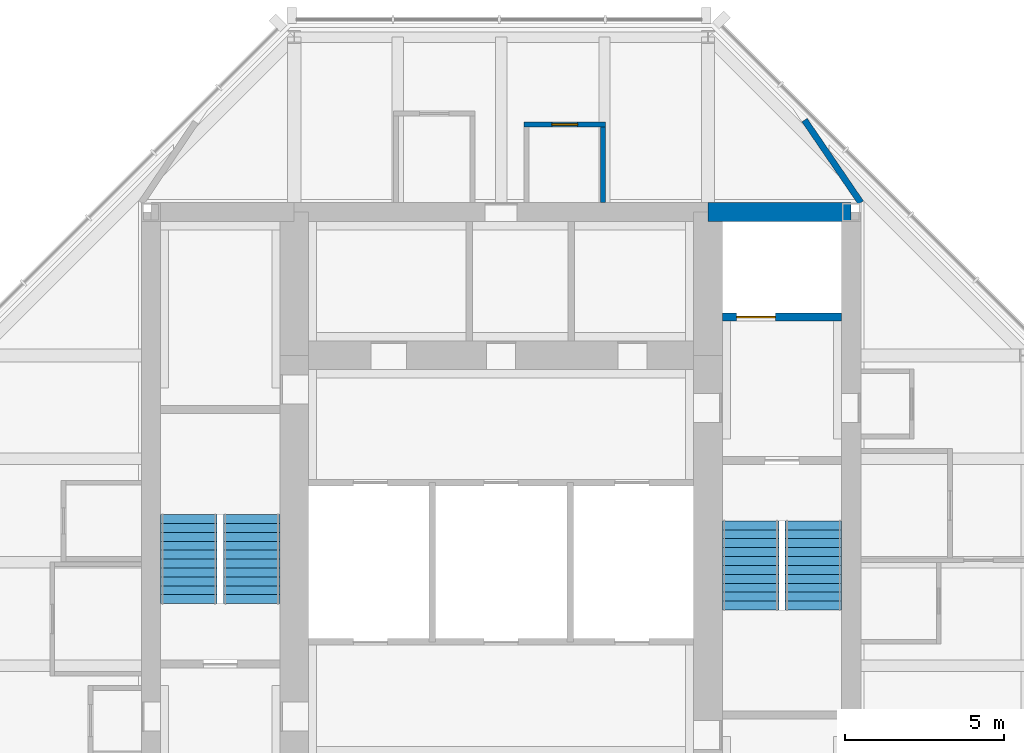
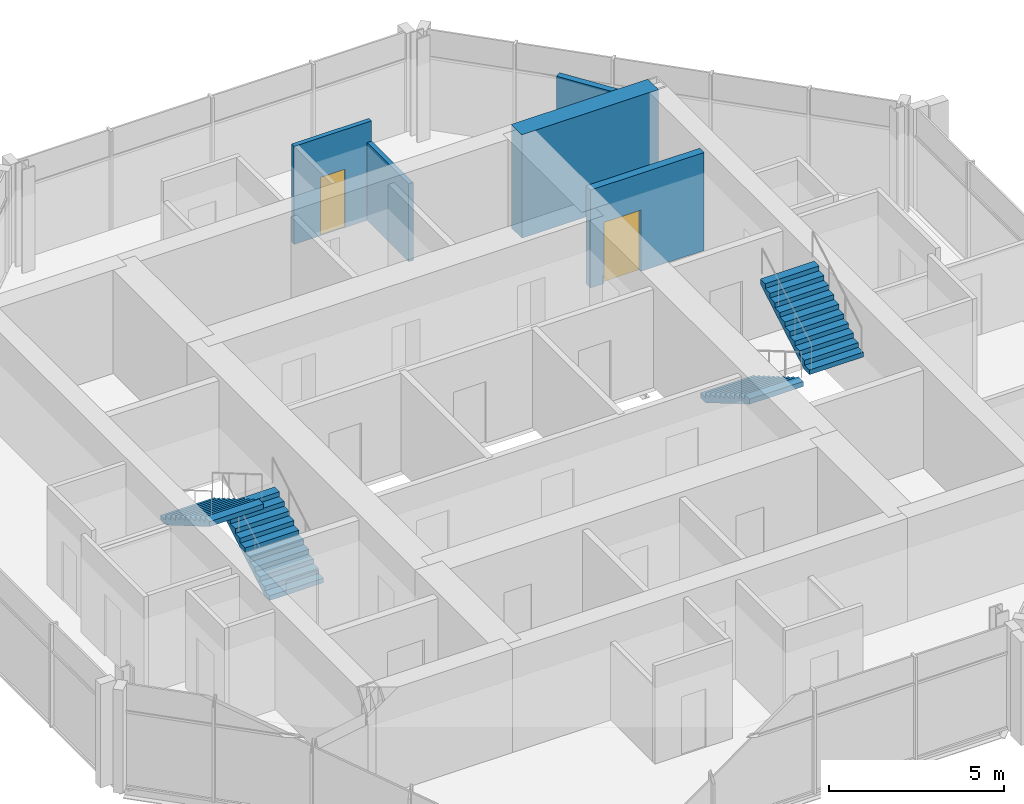
# One storey, part 7 of 8: 5 walls, 4 stair flights, 2 doors, 2 openings, 2 elements without a shape of their own.
"""IFC4 building model written with IfcOpenShell, lengths in metres."""

from ifc_helpers import new_model, si_unit, direction, frame, frame_2d, origin, place, context, subcontext, project, spatial, polyline, rectangle, outline, extrude, material, layer, layer_set, type_object, element, fill, aggregate, save


model = new_model("IFC4")

# Units and contexts
model_context = context("Model", 3, precision=1e-05, world=origin(), true_north=direction((0.0, 1.0)))
body_context = subcontext(model_context, "Body", "Model", "MODEL_VIEW")
ifc_project = project(units=[si_unit("LENGTHUNIT", "METRE"), si_unit("AREAUNIT", "SQUARE_METRE"), si_unit("VOLUMEUNIT", "CUBIC_METRE"), si_unit("PLANEANGLEUNIT", "RADIAN"), si_unit("MASSUNIT", "GRAM", prefix="KILO")], contexts=[model_context])

# Site, building, storey
site_placement = place(None, origin())
site = spatial("IfcSite", under=ifc_project, at=site_placement, CompositionType="ELEMENT")
building_placement = place(site_placement, origin())
building = spatial("IfcBuilding", under=site, at=building_placement, Name="Trevanion Tower", CompositionType="ELEMENT")
storey_placement = place(building_placement, frame((0.0, 0.0, 270.39990234375)))
storey = spatial("IfcBuildingStorey", under=building, at=storey_placement, Name="L66", CompositionType="ELEMENT", Elevation=270.39990234375)

# Wall
ifc_material_1 = material(Name="Concrete 10,000 psi", Category="concrete")
ifc_layer_1 = layer(ifc_material_1, 0.60009765625)
ifc_layer_set_1 = layer_set([ifc_layer_1], Name="CW1 core wall 600")
wall_type_1 = type_object("IfcWallType", Name="CW1 core wall 600", PredefinedType="SHEAR", material=ifc_layer_set_1)
wall_1_placement = place(storey_placement, frame((11.0, 11.0, 0.0), z_axis=(0.0, 0.0, 1.0), x_axis=(-1.0, 0.0, 0.0)))
element("IfcWall", 1, at=wall_1_placement, inside=storey, type_object=wall_type_1, Name="CW1 CN1 L66", PredefinedType="SHEAR", context=body_context, shape_type="SweptSolid", body=[
    extrude(rectangle(XDim=4.5, YDim=0.60009765625, at=frame_2d((2.25, 0.0))), origin(), (0.0, 0.0, 1.0), 3.60009765625),
])

# Wall, opening, door
ifc_material_2 = material(Name="Gypsum board on steel studs", Category="steel")
ifc_layer_2 = layer(ifc_material_2, 0.14990234375)
ifc_layer_set_2 = layer_set([ifc_layer_2], Name="PT1 partition 150")
wall_type_2 = type_object("IfcWallType", Name="PT1 partition 150", PredefinedType="PARTITIONING", material=ifc_layer_set_2)
wall_2_placement = place(storey_placement, frame((3.27490234375, 13.75, 0.0), z_axis=(0.0, 0.0, 1.0), x_axis=(-1.0, 0.0, 0.0)))
wall_2 = element("IfcWall", 2, at=wall_2_placement, inside=storey, type_object=wall_type_2, Name="PT1 L66 RNTF", PredefinedType="PARTITIONING", context=body_context, shape_type="SweptSolid", body=[
    extrude(rectangle(XDim=2.5498046875, YDim=0.14990234375, at=frame_2d((1.27490234375, 0.0))), origin(), (0.0, 0.0, 1.0), 3.41015625),
])
opening_1_placement = place(wall_2_placement, frame((0.868408203125, 0.0, 0.0)))
opening_1 = element("IfcOpeningElement", 3, at=opening_1_placement, cuts=wall_2, Name="Opening 66-031", PredefinedType="OPENING", context=body_context, shape_type="SweptSolid", body=[
    extrude(rectangle(XDim=0.81298828125, YDim=2.031982421875, at=frame_2d((0.406494140625, 1.01611328125))), frame((0.0, 0.0849609375, 0.0), z_axis=(0.0, -1.0, 0.0), x_axis=(1.0, 0.0, 0.0)), (0.0, 0.0, 1.0), 0.169921875),
])
ifc_material_3 = material(Name="Timber veneer", Category="wood")
door_type_1 = type_object("IfcDoorType", Name="D14 residence bathroom door", OperationType="SINGLE_SWING_LEFT", PredefinedType="DOOR", material=ifc_material_3)
door_1_placement = place(opening_1_placement, origin())
door_1 = element("IfcDoor", 4, at=door_1_placement, inside=storey, type_object=door_type_1, Name="Door 66-031", OperationType="SINGLE_SWING_LEFT", OverallHeight=2.031982421875, OverallWidth=0.81298828125, PredefinedType="DOOR", context=body_context, shape_type="SweptSolid", body=[
    extrude(rectangle(XDim=0.81298828125, YDim=2.031982421875, at=frame_2d((0.406494140625, 1.01611328125))), frame((0.0, 0.02490234375, 0.0), z_axis=(0.0, -1.0, 0.0), x_axis=(1.0, 0.0, 0.0)), (0.0, 0.0, 1.0), 0.050048828125),
])
fill(opening_1, door_1)

# Walls
wall_3_placement = place(storey_placement, frame((3.199951171875, 11.300048828125, 0.0), z_axis=(0.0, 0.0, 1.0), x_axis=(0.0, 1.0, 0.0)))
element("IfcWall", 5, at=wall_3_placement, inside=storey, type_object=wall_type_2, Name="PT1 L66 RNTA", PredefinedType="PARTITIONING", context=body_context, shape_type="SweptSolid", body=[
    extrude(rectangle(XDim=2.375, YDim=0.14990234375, at=frame_2d((1.1875, 0.0))), origin(), (0.0, 0.0, 1.0), 2.708984375),
])
ifc_material_4 = material(Name="Concrete masonry, grouted", Category="masonry")
ifc_layer_3 = layer(ifc_material_4, 0.199951171875)
ifc_layer_set_3 = layer_set([ifc_layer_3], Name="PT2 partition 200 1 HR")
wall_type_3 = type_object("IfcWallType", Name="PT2 partition 200 1 HR", PredefinedType="PARTITIONING", material=ifc_layer_set_3)
wall_4_placement = place(storey_placement, frame((11.300048828125, 11.300048828125, 0.0), z_axis=(0.0, 0.0, 1.0), x_axis=(-0.563469639691, 0.826136771453, 0.0)))
element("IfcWall", 6, at=wall_4_placement, inside=storey, type_object=wall_type_3, Name="PT2 L66 UB0", PredefinedType="PARTITIONING", context=body_context, shape_type="SweptSolid", body=[
    extrude(rectangle(XDim=3.136962890625, YDim=0.199951171875, at=frame_2d((1.568359375, 0.0))), origin(), (0.0, 0.0, 1.0), 2.703857421875),
])

# Wall, opening, door
ifc_material_5 = material(Name="Concrete masonry, grouted, two-hour", Category="masonry")
ifc_layer_4 = layer(ifc_material_5, 0.25)
ifc_layer_set_4 = layer_set([ifc_layer_4], Name="PT3 partition 250 2 HR")
wall_type_4 = type_object("IfcWallType", Name="PT3 partition 250 2 HR", PredefinedType="PARTITIONING", material=ifc_layer_set_4)
wall_5_placement = place(storey_placement, frame((6.949951171875, 7.699951171875, 0.0), z_axis=(0.0, 0.0, 1.0), x_axis=(1.0, 0.0, 0.0)))
wall_5 = element("IfcWall", 7, at=wall_5_placement, inside=storey, type_object=wall_type_4, Name="PT3 L66 EP3", PredefinedType="PARTITIONING", context=body_context, shape_type="SweptSolid", body=[
    extrude(rectangle(XDim=3.75, YDim=0.25, at=frame_2d((1.875, 0.0))), origin(), (0.0, 0.0, 1.0), 3.41015625),
])
opening_2_placement = place(wall_5_placement, frame((0.449951171875, 0.0, 0.0)))
opening_2 = element("IfcOpeningElement", 8, at=opening_2_placement, cuts=wall_5, Name="Opening 66-007", PredefinedType="OPENING", context=body_context, shape_type="SweptSolid", body=[
    extrude(rectangle(XDim=1.218994140625, YDim=2.134033203125, at=frame_2d((0.609375, 1.06689453125))), frame((0.0, 0.135009765625, 0.0), z_axis=(0.0, -1.0, 0.0), x_axis=(1.0, 0.0, 0.0)), (0.0, 0.0, 1.0), 0.27001953125),
])
ifc_material_6 = material(Name="Stainless steel, fire rated", Category="steel")
door_type_2 = type_object("IfcDoorType", Name="LD2 fire service lift landing door", OperationType="SLIDING_TO_LEFT", PredefinedType="DOOR", material=ifc_material_6)
door_2_placement = place(opening_2_placement, origin())
door_2 = element("IfcDoor", 9, at=door_2_placement, inside=storey, type_object=door_type_2, Name="Door 66-007", OperationType="SLIDING_TO_LEFT", OverallHeight=2.134033203125, OverallWidth=1.218994140625, PredefinedType="DOOR", context=body_context, shape_type="SweptSolid", body=[
    extrude(rectangle(XDim=1.218994140625, YDim=2.134033203125, at=frame_2d((0.609375, 1.06689453125))), frame((0.0, 0.02490234375, 0.0), z_axis=(0.0, -1.0, 0.0), x_axis=(1.0, 0.0, 0.0)), (0.0, 0.0, 1.0), 0.050048828125),
])
fill(opening_2, door_2)

# Stair, stair flights
ifc_material_7 = material(Name="Concrete 5,000 psi on steel stringers", Category="concrete")
stair_type = type_object("IfcStairType", Name="ST stair", PredefinedType="HALF_TURN_STAIR", material=ifc_material_7)
stair_1_placement = place(storey_placement, origin())
stair_1 = element("IfcStair", 10, at=stair_1_placement, inside=storey, type_object=stair_type, Name="ST1 L66", PredefinedType="HALF_TURN_STAIR")
ifc_material_8 = material(Name="Concrete 5,000 psi in steel pan", Category="concrete")
stair_flight_type = type_object("IfcStairFlightType", Name="STF stair flight", PredefinedType="STRAIGHT", material=ifc_material_8)
stair_flight_1_placement = place(storey_placement, frame((7.83740234375, 1.300048828125, 0.0), z_axis=(0.0, 0.0, 1.0), x_axis=(0.0, -1.0, 0.0)))
stair_flight_1 = element("IfcStairFlight", 11, at=stair_flight_1_placement, type_object=stair_flight_type, Name="ST1 flight 1", NumberOfRisers=11, NumberOfTreads=10, PredefinedType="STRAIGHT", RiserHeight=0.163636364, TreadLength=0.28, context=body_context, shape_type="SweptSolid", body=[
    extrude(outline(polyline([(0.0, 0.0), (0.0, 0.16357421875), (0.280029296875, 0.16357421875), (0.280029296875, 0.327392578125), (0.56005859375, 0.327392578125), (0.56005859375, 0.490966796875), (0.840087890625, 0.490966796875), (0.840087890625, 0.654541015625), (1.1201171875, 0.654541015625), (1.1201171875, 0.818115234375), (1.39990234375, 0.818115234375), (1.39990234375, 0.98193359375), (1.679931640625, 0.98193359375), (1.679931640625, 1.1455078125), (1.9599609375, 1.1455078125), (1.9599609375, 1.30908203125), (2.239990234375, 1.30908203125), (2.239990234375, 1.47265625), (2.52001953125, 1.47265625), (2.52001953125, 1.636474609375), (2.800048828125, 1.636474609375), (2.800048828125, 1.800048828125), (2.800048828125, 1.462646484375), (0.297119140625, 0.0), (0.0, 0.0)])), frame((0.0, 0.887451171875, 0.0), z_axis=(0.0, -1.0, 0.0), x_axis=(1.0, 0.0, 0.0)), (0.0, 0.0, 1.0), 1.77490234375),
])
stair_flight_2_placement = place(storey_placement, frame((9.8125, -1.5, 1.800048828125), z_axis=(0.0, 0.0, 1.0), x_axis=(0.0, 1.0, 0.0)))
stair_flight_2 = element("IfcStairFlight", 12, at=stair_flight_2_placement, type_object=stair_flight_type, Name="ST1 flight 2", NumberOfRisers=11, NumberOfTreads=10, PredefinedType="STRAIGHT", RiserHeight=0.163636364, TreadLength=0.28, context=body_context, shape_type="SweptSolid", body=[
    extrude(outline(polyline([(0.0, 0.0), (0.0, 0.16357421875), (0.280029296875, 0.16357421875), (0.280029296875, 0.327392578125), (0.56005859375, 0.327392578125), (0.56005859375, 0.490966796875), (0.840087890625, 0.490966796875), (0.840087890625, 0.654541015625), (1.1201171875, 0.654541015625), (1.1201171875, 0.818115234375), (1.39990234375, 0.818115234375), (1.39990234375, 0.98193359375), (1.679931640625, 0.98193359375), (1.679931640625, 1.1455078125), (1.9599609375, 1.1455078125), (1.9599609375, 1.30908203125), (2.239990234375, 1.30908203125), (2.239990234375, 1.47265625), (2.52001953125, 1.47265625), (2.52001953125, 1.636474609375), (2.800048828125, 1.636474609375), (2.800048828125, 1.800048828125), (2.800048828125, 1.462646484375), (0.297119140625, 0.0), (0.0, 0.0)])), frame((0.0, 0.887451171875, 0.0), z_axis=(0.0, -1.0, 0.0), x_axis=(1.0, 0.0, 0.0)), (0.0, 0.0, 1.0), 1.77490234375),
])
aggregate(stair_1, [stair_flight_1, stair_flight_2])

stair_2_placement = place(storey_placement, origin())
stair_2 = element("IfcStair", 13, at=stair_2_placement, inside=storey, type_object=stair_type, Name="ST2 L66", PredefinedType="HALF_TURN_STAIR")
stair_flight_3_placement = place(storey_placement, frame((-7.83740234375, -1.300048828125, 0.0), z_axis=(0.0, 0.0, 1.0), x_axis=(0.0, 1.0, 0.0)))
stair_flight_3 = element("IfcStairFlight", 14, at=stair_flight_3_placement, type_object=stair_flight_type, Name="ST2 flight 1", NumberOfRisers=11, NumberOfTreads=10, PredefinedType="STRAIGHT", RiserHeight=0.163636364, TreadLength=0.28, context=body_context, shape_type="SweptSolid", body=[
    extrude(outline(polyline([(0.0, 0.0), (0.0, 0.16357421875), (0.280029296875, 0.16357421875), (0.280029296875, 0.327392578125), (0.56005859375, 0.327392578125), (0.56005859375, 0.490966796875), (0.840087890625, 0.490966796875), (0.840087890625, 0.654541015625), (1.1201171875, 0.654541015625), (1.1201171875, 0.818115234375), (1.39990234375, 0.818115234375), (1.39990234375, 0.98193359375), (1.679931640625, 0.98193359375), (1.679931640625, 1.1455078125), (1.9599609375, 1.1455078125), (1.9599609375, 1.30908203125), (2.239990234375, 1.30908203125), (2.239990234375, 1.47265625), (2.52001953125, 1.47265625), (2.52001953125, 1.636474609375), (2.800048828125, 1.636474609375), (2.800048828125, 1.800048828125), (2.800048828125, 1.462646484375), (0.297119140625, 0.0), (0.0, 0.0)])), frame((0.0, 0.887451171875, 0.0), z_axis=(0.0, -1.0, 0.0), x_axis=(1.0, 0.0, 0.0)), (0.0, 0.0, 1.0), 1.77490234375),
])
stair_flight_4_placement = place(storey_placement, frame((-9.8125, 1.5, 1.800048828125), z_axis=(0.0, 0.0, 1.0), x_axis=(0.0, -1.0, 0.0)))
stair_flight_4 = element("IfcStairFlight", 15, at=stair_flight_4_placement, type_object=stair_flight_type, Name="ST2 flight 2", NumberOfRisers=11, NumberOfTreads=10, PredefinedType="STRAIGHT", RiserHeight=0.163636364, TreadLength=0.28, context=body_context, shape_type="SweptSolid", body=[
    extrude(outline(polyline([(0.0, 0.0), (0.0, 0.16357421875), (0.280029296875, 0.16357421875), (0.280029296875, 0.327392578125), (0.56005859375, 0.327392578125), (0.56005859375, 0.490966796875), (0.840087890625, 0.490966796875), (0.840087890625, 0.654541015625), (1.1201171875, 0.654541015625), (1.1201171875, 0.818115234375), (1.39990234375, 0.818115234375), (1.39990234375, 0.98193359375), (1.679931640625, 0.98193359375), (1.679931640625, 1.1455078125), (1.9599609375, 1.1455078125), (1.9599609375, 1.30908203125), (2.239990234375, 1.30908203125), (2.239990234375, 1.47265625), (2.52001953125, 1.47265625), (2.52001953125, 1.636474609375), (2.800048828125, 1.636474609375), (2.800048828125, 1.800048828125), (2.800048828125, 1.462646484375), (0.297119140625, 0.0), (0.0, 0.0)])), frame((0.0, 0.887451171875, 0.0), z_axis=(0.0, -1.0, 0.0), x_axis=(1.0, 0.0, 0.0)), (0.0, 0.0, 1.0), 1.77490234375),
])
aggregate(stair_2, [stair_flight_3, stair_flight_4])

save(model, "model.ifc")
